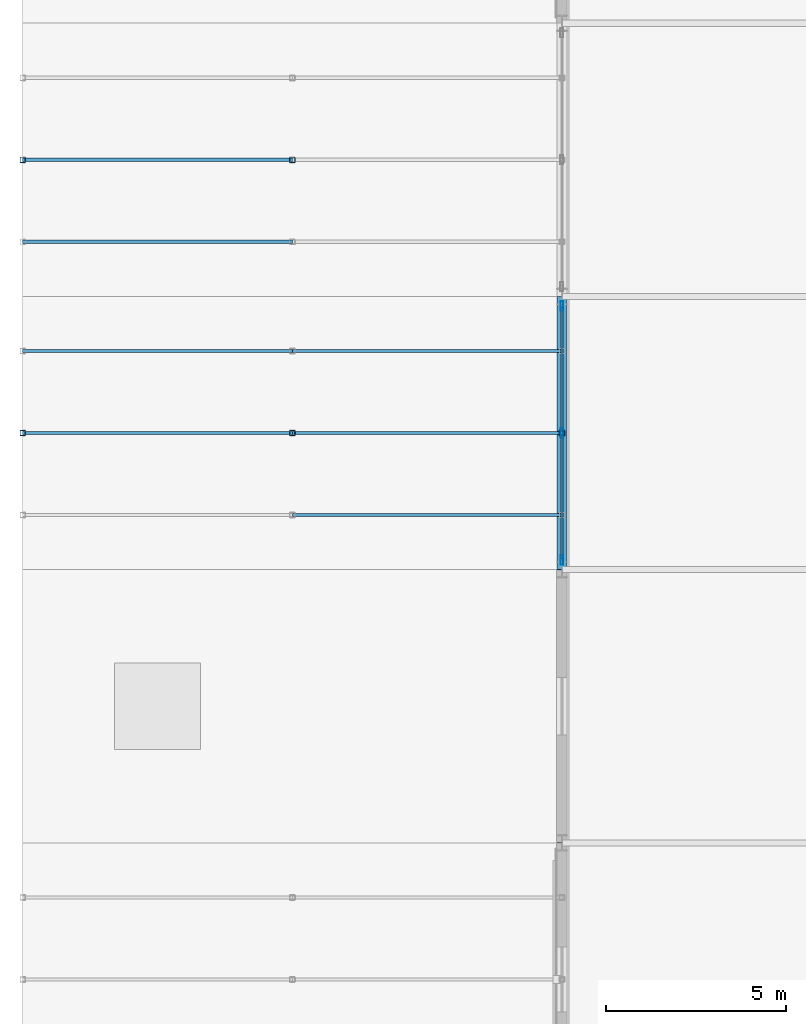
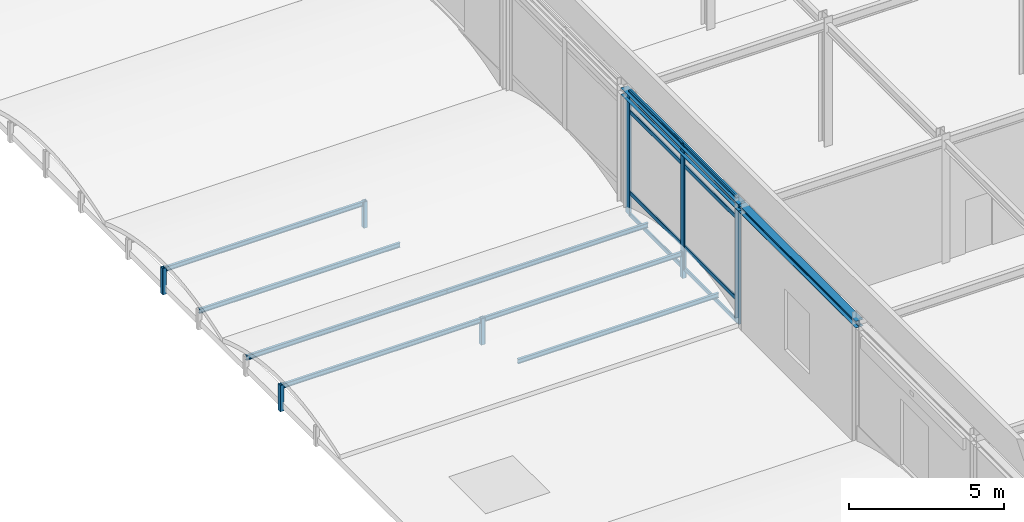
# One storey, part 19 of 113: 23 members, 2 beams, 1 element without a shape of its own.
"""IFC4 building model written with IfcOpenShell, lengths in metres."""

import ifcopenshell
import ifcopenshell.guid

model = None  # the IFC model being written
_history = None  # IfcOwnerHistory: only IFC2X3 demands one
_inside = {}  # id of a spatial element -> (the spatial element, [elements in it])
_under = {}  # id of a project, library or spatial element -> (it, [spatial elements below it])
_declared = {}  # id of a project -> (the project, [libraries it declares])
_typed = {}  # id of a type object -> (the type object, [elements of that type])
_made_of = {}  # id of a material, layer set ... -> (it, [elements and type objects made of it])


def new_model(schema):
    """Start an empty IFC model of exactly this schema.

    Asked for "IFC4X3", IfcOpenShell would pick the latest addendum, in which some entities
    have other attributes; the version numbers below select the first issue.
    IFC2X3 requires an IfcOwnerHistory on every rooted entity: one is made here for all.
    """
    global model, _history
    if schema == "IFC4X3":
        model = ifcopenshell.file(schema_version=(4, 3, 0, 0))
    else:
        model = ifcopenshell.file(schema=schema)
    _inside.clear()
    _under.clear()
    _declared.clear()
    _typed.clear()
    _made_of.clear()
    _history = None
    if model.schema == "IFC2X3":
        org = make("IfcOrganization", Name="unknown")
        user = make(
            "IfcPersonAndOrganization",
            ThePerson=make("IfcPerson", FamilyName="unknown"),
            TheOrganization=org,
        )
        app = make(
            "IfcApplication",
            ApplicationDeveloper=org,
            Version="unknown",
            ApplicationFullName="unknown",
            ApplicationIdentifier="unknown",
        )
        _history = make(
            "IfcOwnerHistory",
            OwningUser=user,
            OwningApplication=app,
            ChangeAction="ADDED",
            CreationDate=0,
        )
    return model


def make(cls, **values):
    """One entity of the class cls with the attributes given. An attribute that is None is left unset."""
    return model.create_entity(
        cls, **{name: value for name, value in values.items() if value is not None}
    )


def rooted(cls, **values):
    """An entity with a GlobalId (a new one), such as an element, a storey or a relation."""
    return make(cls, GlobalId=ifcopenshell.guid.new(), OwnerHistory=_history, **values)


def si_unit(unit_type, name, prefix=None):
    """IfcSIUnit, for example si_unit("LENGTHUNIT", "METRE", prefix="MILLI")."""
    return make("IfcSIUnit", UnitType=unit_type, Prefix=prefix, Name=name)


def assignment(units):
    """IfcUnitAssignment: the units of a project."""
    return None if units is None else make("IfcUnitAssignment", Units=units)


def point(xyz):
    """IfcCartesianPoint."""
    return None if xyz is None else make("IfcCartesianPoint", Coordinates=xyz)


def direction(xyz):
    """IfcDirection."""
    return None if xyz is None else make("IfcDirection", DirectionRatios=xyz)


def frame(location, z_axis=None, x_axis=None):
    """IfcAxis2Placement3D, a coordinate frame: its origin and axes. An axis left out is left unset."""
    return make(
        "IfcAxis2Placement3D",
        Location=point(location),
        Axis=direction(z_axis),
        RefDirection=direction(x_axis),
    )


def frame_2d(location, x_axis=None):
    """IfcAxis2Placement2D, a coordinate frame in the plane: its origin and x axis."""
    return make(
        "IfcAxis2Placement2D", Location=point(location), RefDirection=direction(x_axis)
    )


def origin():
    """The frame at (0, 0, 0) with its axes left unset."""
    return frame((0.0, 0.0, 0.0))


def origin_2d():
    """The frame at (0, 0) in the plane with its x axis left unset."""
    return frame_2d((0.0, 0.0))


def place(relative_to, where):
    """IfcLocalPlacement: puts the frame where relative to a parent placement (None: the world)."""
    return make(
        "IfcLocalPlacement", PlacementRelTo=relative_to, RelativePlacement=where
    )


def context(
    kind, dimensions, precision=None, world=None, true_north=None, identifier=None
):
    """IfcGeometricRepresentationContext, for example the 3D "Model" context."""
    return make(
        "IfcGeometricRepresentationContext",
        ContextIdentifier=identifier,
        ContextType=kind,
        CoordinateSpaceDimension=dimensions,
        Precision=precision,
        WorldCoordinateSystem=world,
        TrueNorth=true_north,
    )


def subcontext(parent, identifier, kind, view, scale=None):
    """IfcGeometricRepresentationSubContext, for example "Body" below "Model"."""
    return make(
        "IfcGeometricRepresentationSubContext",
        ContextIdentifier=identifier,
        ContextType=kind,
        ParentContext=parent,
        TargetScale=scale,
        TargetView=view,
    )


def project(units=None, contexts=None):
    """IfcProject with its units and contexts."""
    return rooted(
        "IfcProject",
        Name="project",
        RepresentationContexts=contexts,
        UnitsInContext=assignment(units),
    )


def spatial(cls, under=None, at=None, **own):
    """A site, building, storey or space (cls), placed at a placement, below another one or the project."""
    s = rooted(cls, ObjectPlacement=at, **own)
    if under is not None:
        _under.setdefault(under.id(), (under, []))[1].append(s)
    return s


def profile(cls, at=None, kind="AREA", **sizes):
    """A parametric profile (cls). Its sizes go by their IFC names, for example OverallWidth=200.0."""
    return make(cls, ProfileType=kind, Position=at, **sizes)


def hollow_rectangle(**sizes):
    """IfcRectangleHollowProfileDef."""
    return profile("IfcRectangleHollowProfileDef", **sizes)


def i_section(**sizes):
    """IfcIShapeProfileDef."""
    return profile("IfcIShapeProfileDef", **sizes)


def extrude(swept, where, along, depth):
    """IfcExtrudedAreaSolid: the profile swept, set in the frame where, extruded along a direction by depth."""
    return make(
        "IfcExtrudedAreaSolid",
        SweptArea=swept,
        Position=where,
        ExtrudedDirection=direction(along),
        Depth=depth,
    )


def shape(context_of_items, identifier, shape_type, items):
    """IfcShapeRepresentation: the items that make up one representation, for example the "Body"."""
    return make(
        "IfcShapeRepresentation",
        ContextOfItems=context_of_items,
        RepresentationIdentifier=identifier,
        RepresentationType=shape_type,
        Items=items,
    )


def material(Name=None, Category=None):
    """IfcMaterial."""
    return make("IfcMaterial", Name=Name, Category=Category)


def layer(
    of_material, thickness, ventilated=None, Name=None, Category=None, Priority=None
):
    """IfcMaterialLayer: one layer of a wall or slab, of a material (None: an air gap)."""
    return make(
        "IfcMaterialLayer",
        Material=of_material,
        LayerThickness=thickness,
        IsVentilated=ventilated,
        Name=Name,
        Category=Category,
        Priority=Priority,
    )


def layer_set(layers, Name=None):
    """IfcMaterialLayerSet."""
    return make("IfcMaterialLayerSet", MaterialLayers=layers, LayerSetName=Name)


def material_profile(
    of_material, cross_section, Name=None, Category=None, Priority=None
):
    """IfcMaterialProfile: a cross section and its material."""
    return make(
        "IfcMaterialProfile",
        Name=Name,
        Material=of_material,
        Profile=cross_section,
        Priority=Priority,
        Category=Category,
    )


def profile_set(profiles, Name=None, composite=None):
    """IfcMaterialProfileSet."""
    return make(
        "IfcMaterialProfileSet",
        Name=Name,
        MaterialProfiles=profiles,
        CompositeProfile=composite,
    )


def made_of(thing, what):
    """Note that an element or type object is made of a material, layer set ...; save() writes the relation."""
    if what is not None:
        _made_of.setdefault(what.id(), (what, []))[1].append(thing)
    return thing


def type_object(cls, material=None, **own):
    """A type object (cls), such as IfcWallType, which elements share."""
    return made_of(rooted(cls, **own), material)


def element(
    cls,
    number,
    at=None,
    inside=None,
    cuts=None,
    type_object=None,
    material=None,
    context=None,
    identifier="Body",
    shape_type=None,
    held_by="IfcProductDefinitionShape",
    body=None,
    shapes=None,
    **own,
):
    """One element of the class cls, such as IfcWall. Its Tag is "e" and its number.

    at: its placement. inside: the storey or other place that contains it. cuts: it is an
    opening in that element (IfcRelVoidsElement). A single representation is given by context,
    identifier, shape_type and body (its items); several are given by shapes. held_by: the class
    of the entity that holds the representations. save() writes the other relations.
    """
    e = rooted(cls, Tag="e%d" % number, ObjectPlacement=at, **own)
    if body is not None:
        shapes = [shape(context, identifier, shape_type, body)]
    if shapes is not None:
        e.Representation = make(held_by, Representations=shapes)
    if inside is not None:
        _inside.setdefault(inside.id(), (inside, []))[1].append(e)
    if cuts is not None:
        rooted(
            "IfcRelVoidsElement", RelatingBuildingElement=cuts, RelatedOpeningElement=e
        )
    if type_object is not None:
        _typed.setdefault(type_object.id(), (type_object, []))[1].append(e)
    return made_of(e, material)


def aggregate(whole, parts):
    """IfcRelAggregates: a whole, such as a stair, and the parts it consists of."""
    return rooted("IfcRelAggregates", RelatingObject=whole, RelatedObjects=parts)


def save(model, path):
    """Write the relations noted so far, then the file.

    IfcRelAggregates (storeys below a building ...), IfcRelContainedInSpatialStructure (elements
    in a storey), IfcRelDefinesByType, IfcRelAssociatesMaterial and IfcRelDeclares: one each for
    every whole, place, type object, material and project.
    """
    for whole, parts in _under.values():
        aggregate(whole, parts)
    for where, things in _inside.values():
        rooted(
            "IfcRelContainedInSpatialStructure",
            RelatedElements=things,
            RelatingStructure=where,
        )
    for kind, things in _typed.values():
        rooted("IfcRelDefinesByType", RelatedObjects=things, RelatingType=kind)
    for what, things in _made_of.values():
        rooted("IfcRelAssociatesMaterial", RelatedObjects=things, RelatingMaterial=what)
    for by, libraries in _declared.values():
        rooted("IfcRelDeclares", RelatingContext=by, RelatedDefinitions=libraries)
    model.write(path)


model = new_model("IFC4")

# Units and contexts
model_context = context("Model", 3, precision=1e-05, world=origin(), true_north=direction((0.0, 1.0)))
body_context = subcontext(model_context, "Body", "Model", "MODEL_VIEW")
ifc_project = project(units=[si_unit("LENGTHUNIT", "METRE"), si_unit("AREAUNIT", "SQUARE_METRE"), si_unit("VOLUMEUNIT", "CUBIC_METRE"), si_unit("PLANEANGLEUNIT", "RADIAN"), si_unit("MASSUNIT", "GRAM", prefix="KILO")], contexts=[model_context])

# Site, building, storey
site_placement = place(None, origin())
site = spatial("IfcSite", under=ifc_project, at=site_placement, CompositionType="ELEMENT")
building_placement = place(site_placement, origin())
building = spatial("IfcBuilding", under=site, at=building_placement, Name="Shalkamar Park Central Library", CompositionType="ELEMENT")
storey_placement = place(building_placement, frame((0.0, 0.0, 5.39990234375)))
storey = spatial("IfcBuildingStorey", under=building, at=storey_placement, Name="L02", CompositionType="ELEMENT", Elevation=5.39990234375)

# Curtain wall, members
ifc_material_1 = material(Name="Thermally broken aluminium and triple low-e curtain wall", Category="aluminium")
ifc_layer = layer(ifc_material_1, 0.260009765625)
ifc_layer_set = layer_set([ifc_layer], Name="UnitisedCurtainWall_23")
curtain_wall_type = type_object("IfcCurtainWallType", Name="Unitised Curtain Wall 23", PredefinedType="USERDEFINED", material=ifc_layer_set)
curtain_wall_placement = place(storey_placement, origin())
curtain_wall = element("IfcCurtainWall", 1, at=curtain_wall_placement, inside=storey, type_object=curtain_wall_type, Name="Unitised Curtain Wall CW-L02-040", ObjectType="UNITISED CURTAIN WALL", PredefinedType="USERDEFINED")
ifc_material_2 = material(Name="Aluminium 6060-T66", Category="aluminium")
ifc_material_profile_1 = material_profile(ifc_material_2, hollow_rectangle(XDim=0.074951171875, YDim=0.260009765625, WallThickness=0.00439453125, InnerFilletRadius=0.00439453125, OuterFilletRadius=0.0068359375, at=origin_2d()), Name="ALU 75x260x4.5")
ifc_profile_set_1 = profile_set([ifc_material_profile_1], Name="Aluminium 6060-T66")
member_type_1 = type_object("IfcMemberType", Name="Curtain Wall Mullion ALU75x260", PredefinedType="MULLION", material=ifc_profile_set_1)
member_1_placement = place(storey_placement, frame((135.0, 278.2666015625, 0.0), z_axis=(0.0, 0.0, 1.0), x_axis=(-1.0, 0.0, 0.0)))
member_1 = element("IfcMember", 2, at=member_1_placement, type_object=member_type_1, Name="CW-23 mullion 1", PredefinedType="MULLION", context=body_context, shape_type="SweptSolid", body=[
    extrude(hollow_rectangle(XDim=0.074951171875, YDim=0.260009765625, WallThickness=0.00439453125, InnerFilletRadius=0.00439453125, OuterFilletRadius=0.0068359375, at=origin_2d()), origin(), (0.0, 0.0, 1.0), 4.85009765625),
])
member_2_placement = place(storey_placement, frame((135.0, 281.800048828125, 0.0), z_axis=(0.0, 0.0, 1.0), x_axis=(-1.0, 0.0, 0.0)))
member_2 = element("IfcMember", 3, at=member_2_placement, type_object=member_type_1, Name="CW-23 mullion 2", PredefinedType="MULLION", context=body_context, shape_type="SweptSolid", body=[
    extrude(hollow_rectangle(XDim=0.074951171875, YDim=0.260009765625, WallThickness=0.00439453125, InnerFilletRadius=0.00439453125, OuterFilletRadius=0.0068359375, at=origin_2d()), origin(), (0.0, 0.0, 1.0), 4.85009765625),
])
member_3_placement = place(storey_placement, frame((135.0, 285.33349609375, 0.0), z_axis=(0.0, 0.0, 1.0), x_axis=(-1.0, 0.0, 0.0)))
member_3 = element("IfcMember", 4, at=member_3_placement, type_object=member_type_1, Name="CW-23 mullion 3", PredefinedType="MULLION", context=body_context, shape_type="SweptSolid", body=[
    extrude(hollow_rectangle(XDim=0.074951171875, YDim=0.260009765625, WallThickness=0.00439453125, InnerFilletRadius=0.00439453125, OuterFilletRadius=0.0068359375, at=origin_2d()), origin(), (0.0, 0.0, 1.0), 4.85009765625),
])
ifc_material_profile_2 = material_profile(ifc_material_2, hollow_rectangle(XDim=0.06005859375, YDim=0.1650390625, WallThickness=0.00390625, InnerFilletRadius=0.00390625, OuterFilletRadius=0.006103515625, at=origin_2d()), Name="ALU 60x165x4")
ifc_profile_set_2 = profile_set([ifc_material_profile_2], Name="Aluminium 6060-T66")
member_type_2 = type_object("IfcMemberType", Name="Curtain Wall Transom ALU60x165", PredefinedType="USERDEFINED", material=ifc_profile_set_2)
member_4_placement = place(storey_placement, frame((135.0, 278.303955078125, 0.030029296875), z_axis=(0.0, 1.0, 0.0), x_axis=(-1.0, 0.0, 0.0)))
member_4 = element("IfcMember", 5, at=member_4_placement, type_object=member_type_2, Name="CW-23 transom 1.1", ObjectType="TRANSOM", PredefinedType="USERDEFINED", context=body_context, shape_type="SweptSolid", body=[
    extrude(hollow_rectangle(XDim=0.06005859375, YDim=0.1650390625, WallThickness=0.00390625, InnerFilletRadius=0.00390625, OuterFilletRadius=0.006103515625, at=origin_2d()), origin(), (0.0, 0.0, 1.0), 3.45849609375),
])
member_5_placement = place(storey_placement, frame((135.0, 278.303955078125, 0.900146484375), z_axis=(0.0, 1.0, 0.0), x_axis=(-1.0, 0.0, 0.0)))
member_5 = element("IfcMember", 6, at=member_5_placement, type_object=member_type_2, Name="CW-23 transom 1.2", ObjectType="TRANSOM", PredefinedType="USERDEFINED", context=body_context, shape_type="SweptSolid", body=[
    extrude(hollow_rectangle(XDim=0.06005859375, YDim=0.1650390625, WallThickness=0.00390625, InnerFilletRadius=0.00390625, OuterFilletRadius=0.006103515625, at=origin_2d()), origin(), (0.0, 0.0, 1.0), 3.45849609375),
])
member_6_placement = place(storey_placement, frame((135.0, 278.303955078125, 4.10009765625), z_axis=(0.0, 1.0, 0.0), x_axis=(-1.0, 0.0, 0.0)))
member_6 = element("IfcMember", 7, at=member_6_placement, type_object=member_type_2, Name="CW-23 transom 1.3", ObjectType="TRANSOM", PredefinedType="USERDEFINED", context=body_context, shape_type="SweptSolid", body=[
    extrude(hollow_rectangle(XDim=0.06005859375, YDim=0.1650390625, WallThickness=0.00390625, InnerFilletRadius=0.00390625, OuterFilletRadius=0.006103515625, at=origin_2d()), origin(), (0.0, 0.0, 1.0), 3.45849609375),
])
member_7_placement = place(storey_placement, frame((135.0, 278.303955078125, 4.820068359375), z_axis=(0.0, 1.0, 0.0), x_axis=(-1.0, 0.0, 0.0)))
member_7 = element("IfcMember", 8, at=member_7_placement, type_object=member_type_2, Name="CW-23 transom 1.4", ObjectType="TRANSOM", PredefinedType="USERDEFINED", context=body_context, shape_type="SweptSolid", body=[
    extrude(hollow_rectangle(XDim=0.06005859375, YDim=0.1650390625, WallThickness=0.00390625, InnerFilletRadius=0.00390625, OuterFilletRadius=0.006103515625, at=origin_2d()), origin(), (0.0, 0.0, 1.0), 3.45849609375),
])
member_8_placement = place(storey_placement, frame((135.0, 281.83740234375, 0.030029296875), z_axis=(0.0, 1.0, 0.0), x_axis=(-1.0, 0.0, 0.0)))
member_8 = element("IfcMember", 9, at=member_8_placement, type_object=member_type_2, Name="CW-23 transom 2.1", ObjectType="TRANSOM", PredefinedType="USERDEFINED", context=body_context, shape_type="SweptSolid", body=[
    extrude(hollow_rectangle(XDim=0.06005859375, YDim=0.1650390625, WallThickness=0.00390625, InnerFilletRadius=0.00390625, OuterFilletRadius=0.006103515625, at=origin_2d()), origin(), (0.0, 0.0, 1.0), 3.45849609375),
])
member_9_placement = place(storey_placement, frame((135.0, 281.83740234375, 0.900146484375), z_axis=(0.0, 1.0, 0.0), x_axis=(-1.0, 0.0, 0.0)))
member_9 = element("IfcMember", 10, at=member_9_placement, type_object=member_type_2, Name="CW-23 transom 2.2", ObjectType="TRANSOM", PredefinedType="USERDEFINED", context=body_context, shape_type="SweptSolid", body=[
    extrude(hollow_rectangle(XDim=0.06005859375, YDim=0.1650390625, WallThickness=0.00390625, InnerFilletRadius=0.00390625, OuterFilletRadius=0.006103515625, at=origin_2d()), origin(), (0.0, 0.0, 1.0), 3.45849609375),
])
member_10_placement = place(storey_placement, frame((135.0, 281.83740234375, 4.10009765625), z_axis=(0.0, 1.0, 0.0), x_axis=(-1.0, 0.0, 0.0)))
member_10 = element("IfcMember", 11, at=member_10_placement, type_object=member_type_2, Name="CW-23 transom 2.3", ObjectType="TRANSOM", PredefinedType="USERDEFINED", context=body_context, shape_type="SweptSolid", body=[
    extrude(hollow_rectangle(XDim=0.06005859375, YDim=0.1650390625, WallThickness=0.00390625, InnerFilletRadius=0.00390625, OuterFilletRadius=0.006103515625, at=origin_2d()), origin(), (0.0, 0.0, 1.0), 3.45849609375),
])
member_11_placement = place(storey_placement, frame((135.0, 281.83740234375, 4.820068359375), z_axis=(0.0, 1.0, 0.0), x_axis=(-1.0, 0.0, 0.0)))
member_11 = element("IfcMember", 12, at=member_11_placement, type_object=member_type_2, Name="CW-23 transom 2.4", ObjectType="TRANSOM", PredefinedType="USERDEFINED", context=body_context, shape_type="SweptSolid", body=[
    extrude(hollow_rectangle(XDim=0.06005859375, YDim=0.1650390625, WallThickness=0.00390625, InnerFilletRadius=0.00390625, OuterFilletRadius=0.006103515625, at=origin_2d()), origin(), (0.0, 0.0, 1.0), 3.45849609375),
])
aggregate(curtain_wall, [member_1, member_2, member_3, member_4, member_5, member_6, member_7, member_8, member_9, member_10, member_11])

# Members
ifc_material_3 = material(Name="Steel S355", Category="steel")
ifc_material_profile_3 = material_profile(ifc_material_3, hollow_rectangle(XDim=0.14990234375, YDim=0.14990234375, WallThickness=0.008056640625, InnerFilletRadius=0.008056640625, OuterFilletRadius=0.011962890625, at=origin_2d()), Name="SHS 150x150x8")
ifc_profile_set_3 = profile_set([ifc_material_profile_3], Name="Steel S355")
member_type_3 = type_object("IfcMemberType", Name="Diagonal Brace SHS150", PredefinedType="BRACE", material=ifc_profile_set_3)
for number, where, z_axis, x_axis, name in (
    (13, (120.0, 281.800048828125, -0.35986328125), (0.0, 0.0, 1.0), (1.0, 0.0, 0.0), "Vault Arch Post BV-L01-W4-01.2"),
    (14, (127.5, 281.800048828125, -0.35986328125), (0.0, 0.0, 1.0), (1.0, 0.0, 0.0), "Vault Arch Post BV-L01-W4-02.2"),
    (15, (135.0, 281.800048828125, -0.35986328125), (0.0, 0.0, 1.0), (1.0, 0.0, 0.0), "Vault Arch Post BV-L01-W4-03.2"),
    (16, (120.0, 289.39990234375, -0.35986328125), (0.0, 0.0, 1.0), (1.0, 0.0, 0.0), "Vault Arch Post BV-L01-W5-01.2"),
    (17, (127.5, 289.39990234375, -0.35986328125), (0.0, 0.0, 1.0), (1.0, 0.0, 0.0), "Vault Arch Post BV-L01-W5-02.2"),
):
    element("IfcMember", number, at=place(storey_placement, frame(where, z_axis=z_axis, x_axis=x_axis)), inside=storey, type_object=member_type_3, Name=name, PredefinedType="BRACE", context=body_context, shape_type="SweptSolid", body=[
        extrude(hollow_rectangle(XDim=0.14990234375, YDim=0.14990234375, WallThickness=0.008056640625, InnerFilletRadius=0.008056640625, OuterFilletRadius=0.011962890625, at=origin_2d()), origin(), (0.0, 0.0, 1.0), 1.0400390625),
    ])

# Beams
ifc_material_profile_4 = material_profile(ifc_material_3, i_section(OverallWidth=0.280029296875, OverallDepth=0.27001953125, WebThickness=0.008056640625, FlangeThickness=0.012939453125, FilletRadius=0.02392578125, at=origin_2d()), Name="HEA 280")
ifc_profile_set_4 = profile_set([ifc_material_profile_4], Name="Steel S355")
beam_type = type_object("IfcBeamType", Name="Perimeter Spandrel Beam HEA280", PredefinedType="SPANDREL", material=ifc_profile_set_4)
for number, where, z_axis, x_axis, name in (
    (18, (135.0, 270.39990234375, 4.715087890625), (0.0, 1.0, 0.0), (-1.0, 0.0, 0.0), "Beam 03:E-F (L02)"),
    (19, (135.0, 278.0, 4.715087890625), (0.0, 1.0, 0.0), (-1.0, 0.0, 0.0), "Beam 03:F-G (L02)"),
):
    element("IfcBeam", number, at=place(storey_placement, frame(where, z_axis=z_axis, x_axis=x_axis)), inside=storey, type_object=beam_type, Name=name, PredefinedType="SPANDREL", context=body_context, shape_type="SweptSolid", body=[
        extrude(i_section(OverallWidth=0.280029296875, OverallDepth=0.27001953125, WebThickness=0.008056640625, FlangeThickness=0.012939453125, FilletRadius=0.02392578125, at=origin_2d()), origin(), (0.0, 0.0, 1.0), 7.60009765625),
    ])

# Members
ifc_material_profile_5 = material_profile(ifc_material_3, i_section(OverallWidth=0.091064453125, OverallDepth=0.179931640625, WebThickness=0.00537109375, FlangeThickness=0.008056640625, FilletRadius=0.009033203125, at=origin_2d()), Name="IPE 180")
ifc_profile_set_5 = profile_set([ifc_material_profile_5], Name="Steel S355")
member_type_4 = type_object("IfcMemberType", Name="Roof Purlin IPE180", PredefinedType="PURLIN", material=ifc_profile_set_5)
for number, where, z_axis, x_axis, name in (
    (20, (127.5, 279.52001953125, 0.330810546875), (1.0, 0.0, 0.0), (0.0, 1.0, 0.0), "Barrel Roof Purlin BV-L01-W4-1.02"),
    (21, (120.0, 281.800048828125, 0.590087890625), (1.0, 0.0, 0.0), (0.0, 1.0, 0.0), "Barrel Roof Purlin BV-L01-W4-2.01"),
    (22, (127.5, 281.800048828125, 0.590087890625), (1.0, 0.0, 0.0), (0.0, 1.0, 0.0), "Barrel Roof Purlin BV-L01-W4-2.02"),
    (23, (120.0, 284.080078125, 0.330810546875), (1.0, 0.0, 0.0), (0.0, 1.0, 0.0), "Barrel Roof Purlin BV-L01-W4-3.01"),
    (24, (127.5, 284.080078125, 0.330810546875), (1.0, 0.0, 0.0), (0.0, 1.0, 0.0), "Barrel Roof Purlin BV-L01-W4-3.02"),
    (25, (120.0, 287.1201171875, 0.330810546875), (1.0, 0.0, 0.0), (0.0, 1.0, 0.0), "Barrel Roof Purlin BV-L01-W5-1.01"),
    (26, (120.0, 289.39990234375, 0.590087890625), (1.0, 0.0, 0.0), (0.0, 1.0, 0.0), "Barrel Roof Purlin BV-L01-W5-2.01"),
):
    element("IfcMember", number, at=place(storey_placement, frame(where, z_axis=z_axis, x_axis=x_axis)), inside=storey, type_object=member_type_4, Name=name, PredefinedType="PURLIN", context=body_context, shape_type="SweptSolid", body=[
        extrude(i_section(OverallWidth=0.091064453125, OverallDepth=0.179931640625, WebThickness=0.00537109375, FlangeThickness=0.008056640625, FilletRadius=0.009033203125, at=origin_2d()), origin(), (0.0, 0.0, 1.0), 7.5),
    ])

save(model, "model.ifc")
